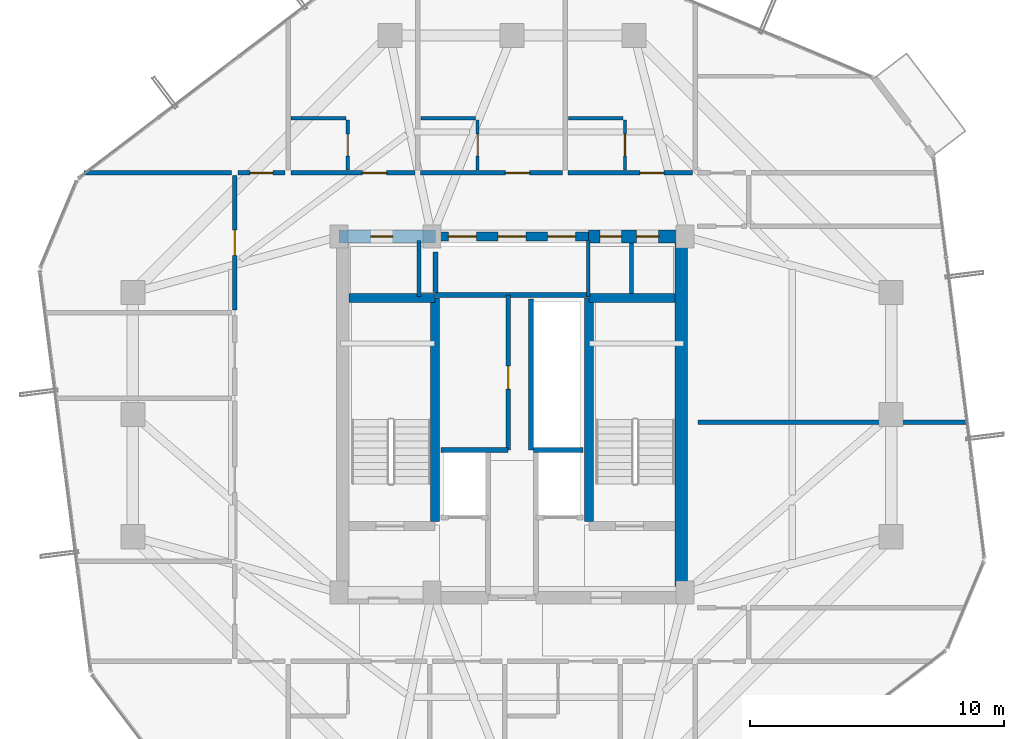
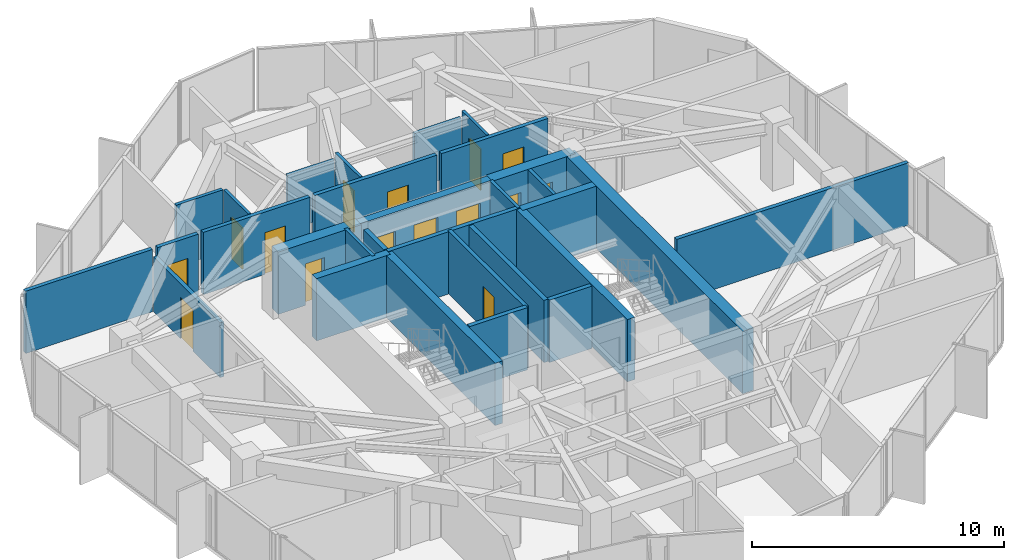
# One storey, part 29 of 32: 30 walls, 15 doors, 15 openings.
"""IFC4 building model written with IfcOpenShell, lengths in metres."""

from ifc_helpers import new_model, si_unit, direction, frame, frame_2d, origin, place, context, subcontext, project, spatial, rectangle, extrude, source, transform, mapped, material, layer, layer_set, type_object, element, fill, save


model = new_model("IFC4")

# Units and contexts
model_context = context("Model", 3, precision=1e-05, world=origin(), true_north=direction((0.0, 1.0)))
body_context = subcontext(model_context, "Body", "Model", "MODEL_VIEW")
ifc_project = project(units=[si_unit("LENGTHUNIT", "METRE"), si_unit("AREAUNIT", "SQUARE_METRE"), si_unit("VOLUMEUNIT", "CUBIC_METRE"), si_unit("PLANEANGLEUNIT", "RADIAN"), si_unit("MASSUNIT", "GRAM", prefix="KILO")], contexts=[model_context])

# Site, building, storey
site_placement = place(None, origin())
site = spatial("IfcSite", under=ifc_project, at=site_placement, CompositionType="ELEMENT")
building_placement = place(site_placement, origin())
building = spatial("IfcBuilding", under=site, at=building_placement, Name="Veraguas Prism Commons", CompositionType="ELEMENT")
storey_placement = place(building_placement, frame((0.0, 0.0, 182.10009765625)))
storey = spatial("IfcBuildingStorey", under=building, at=storey_placement, Name="L51", CompositionType="ELEMENT", Elevation=182.10009765625)

# Wall, openings, doors
ifc_material_1 = material(Name="Concrete C50/60", Category="concrete")
ifc_layer_1 = layer(ifc_material_1, 0.35009765625, Name="Core Internal Shear Wall Upper RC 350", Category="concrete")
ifc_layer_set_1 = layer_set([ifc_layer_1], Name="Concrete C50/60")
wall_type_1 = type_object("IfcWallType", Name="Core Internal Shear Wall Upper RC 350", PredefinedType="SHEAR", material=ifc_layer_set_1)
wall_1_placement = place(storey_placement, frame((21.0, 31.0, 0.0), z_axis=(0.0, 0.0, 1.0), x_axis=(1.0, 0.0, 0.0)))
wall_1 = element("IfcWall", 1, at=wall_1_placement, inside=storey, type_object=wall_type_1, Name="High-Rise Lift Bank Front Shear Wall L51", PredefinedType="SHEAR", context=body_context, shape_type="SweptSolid", body=[
    extrude(rectangle(XDim=6.0, YDim=0.35009765625, at=frame_2d((3.0, 0.0))), origin(), (0.0, 0.0, 1.0), 3.014892578125),
])
opening_1_placement = place(wall_1_placement, frame((0.5, 0.0, 0.0)))
opening_1 = element("IfcOpeningElement", 2, at=opening_1_placement, cuts=wall_1, Name="Opening LD-01", PredefinedType="OPENING", context=body_context, shape_type="SweptSolid", body=[
    extrude(rectangle(XDim=1.10009765625, YDim=2.080078125, at=frame_2d((0.550048828125, 1.0400390625))), frame((0.0, 0.18505859375, 0.0), z_axis=(0.0, -1.0, 0.0), x_axis=(1.0, 0.0, 0.0)), (0.0, 0.0, 1.0), 0.3701171875),
])
opening_2_placement = place(wall_1_placement, frame((2.449951171875, 0.0, 0.0)))
opening_2 = element("IfcOpeningElement", 3, at=opening_2_placement, cuts=wall_1, Name="Opening LD-01", PredefinedType="OPENING", context=body_context, shape_type="SweptSolid", body=[
    extrude(rectangle(XDim=1.10009765625, YDim=2.080078125, at=frame_2d((0.550048828125, 1.0400390625))), frame((0.0, 0.18505859375, 0.0), z_axis=(0.0, -1.0, 0.0), x_axis=(1.0, 0.0, 0.0)), (0.0, 0.0, 1.0), 0.3701171875),
])
opening_3_placement = place(wall_1_placement, frame((4.39990234375, 0.0, 0.0)))
opening_3 = element("IfcOpeningElement", 4, at=opening_3_placement, cuts=wall_1, Name="Opening LD-01", PredefinedType="OPENING", context=body_context, shape_type="SweptSolid", body=[
    extrude(rectangle(XDim=1.10009765625, YDim=2.080078125, at=frame_2d((0.550048828125, 1.0400390625))), frame((0.0, 0.18505859375, 0.0), z_axis=(0.0, -1.0, 0.0), x_axis=(1.0, 0.0, 0.0)), (0.0, 0.0, 1.0), 0.3701171875),
])
ifc_material_2 = material(Name="Stainless steel AISI 316", Category="steel")
door_type_1 = type_object("IfcDoorType", Name="Passenger Lift Sliding Landing Door 1100x2080", OperationType="NOTDEFINED", PredefinedType="DOOR", material=ifc_material_2)
shared_shape_1 = source(origin(), body_context, "Body", "SweptSolid", [
    extrude(rectangle(XDim=1.10009765625, YDim=2.080078125, at=frame_2d((0.550048828125, 1.0400390625))), frame((0.0, 0.02490234375, 0.0), z_axis=(0.0, -1.0, 0.0), x_axis=(1.0, 0.0, 0.0)), (0.0, 0.0, 1.0), 0.050048828125),
])
door_1_placement = place(opening_1_placement, origin())
door_1 = element("IfcDoor", 5, at=door_1_placement, inside=storey, type_object=door_type_1, Name="Sliding Landing Door PL-H1 L51", OperationType="SLIDING_TO_LEFT", OverallHeight=2.080078125, OverallWidth=1.10009765625, PredefinedType="DOOR", context=body_context, shape_type="MappedRepresentation", body=[
    mapped(shared_shape_1, transform((0.0, 0.0, 0.0), scale=1.0)),
])
fill(opening_1, door_1)
door_2_placement = place(opening_2_placement, origin())
door_2 = element("IfcDoor", 6, at=door_2_placement, inside=storey, type_object=door_type_1, Name="Sliding Landing Door PL-H2 L51", OperationType="SLIDING_TO_LEFT", OverallHeight=2.080078125, OverallWidth=1.10009765625, PredefinedType="DOOR", context=body_context, shape_type="MappedRepresentation", body=[
    mapped(shared_shape_1, transform((0.0, 0.0, 0.0), scale=1.0)),
])
fill(opening_2, door_2)
door_3_placement = place(opening_3_placement, origin())
door_3 = element("IfcDoor", 7, at=door_3_placement, inside=storey, type_object=door_type_1, Name="Sliding Landing Door PL-H3 L51", OperationType="SLIDING_TO_LEFT", OverallHeight=2.080078125, OverallWidth=1.10009765625, PredefinedType="DOOR", context=body_context, shape_type="MappedRepresentation", body=[
    mapped(shared_shape_1, transform((0.0, 0.0, 0.0), scale=1.0)),
])
fill(opening_3, door_3)

# Walls
for number, where, z_axis, x_axis, name in (
    (8, (20.97509765625, 19.800048828125, 0.0), (0.0, 0.0, 1.0), (0.0, 1.0, 0.0), "Stair ST-01 Inner Shear Wall L51"),
    (9, (27.02490234375, 19.800048828125, 0.0), (0.0, 0.0, 1.0), (0.0, 1.0, 0.0), "Stair ST-02 Inner Shear Wall L51"),
):
    element("IfcWall", number, at=place(storey_placement, frame(where, z_axis=z_axis, x_axis=x_axis)), inside=storey, type_object=wall_type_1, Name=name, PredefinedType="SHEAR", context=body_context, shape_type="SweptSolid", body=[
        extrude(rectangle(XDim=8.77490234375, YDim=0.35009765625, at=frame_2d((4.387451171875, 0.0))), origin(), (0.0, 0.0, 1.0), 3.014892578125),
    ])
for number, where, z_axis, x_axis, name in (
    (10, (17.60009765625, 28.574951171875, 0.0), (0.0, 0.0, 1.0), (1.0, 0.0, 0.0), "Stair ST-01 North Shear Wall L51"),
    (11, (27.02490234375, 28.574951171875, 0.0), (0.0, 0.0, 1.0), (1.0, 0.0, 0.0), "Stair ST-02 North Shear Wall L51"),
):
    element("IfcWall", number, at=place(storey_placement, frame(where, z_axis=z_axis, x_axis=x_axis)), inside=storey, type_object=wall_type_1, Name=name, PredefinedType="SHEAR", context=body_context, shape_type="SweptSolid", body=[
        extrude(rectangle(XDim=3.375, YDim=0.35009765625, at=frame_2d((1.6875, 0.0))), origin(), (0.0, 0.0, 1.0), 3.014892578125),
    ])
ifc_layer_2 = layer(ifc_material_1, 0.5, Name="Core Outer Shear Wall Upper RC 500", Category="concrete")
ifc_layer_set_2 = layer_set([ifc_layer_2], Name="Concrete C50/60")
wall_type_2 = type_object("IfcWallType", Name="Core Outer Shear Wall Upper RC 500", PredefinedType="SHEAR", material=ifc_layer_set_2)
wall_2_placement = place(storey_placement, frame((30.64990234375, 16.800048828125, 0.0), z_axis=(0.0, 0.0, 1.0), x_axis=(0.0, 1.0, 0.0)))
element("IfcWall", 12, at=wall_2_placement, inside=storey, type_object=wall_type_2, Name="Central Core East Shear Wall L51", PredefinedType="SHEAR", context=body_context, shape_type="SweptSolid", body=[
    extrude(rectangle(XDim=14.199951171875, YDim=0.5, at=frame_2d((7.10009765625, 0.0))), origin(), (0.0, 0.0, 1.0), 3.014892578125),
])

# Wall, opening, door
wall_3_placement = place(storey_placement, frame((17.199951171875, 31.0, 0.0), z_axis=(0.0, 0.0, 1.0), x_axis=(1.0, 0.0, 0.0)))
wall_3 = element("IfcWall", 13, at=wall_3_placement, inside=storey, type_object=wall_type_2, Name="Central Core North-West Shear Wall L51", PredefinedType="SHEAR", context=body_context, shape_type="SweptSolid", body=[
    extrude(rectangle(XDim=3.800048828125, YDim=0.5, at=frame_2d((1.89990234375, 0.0))), origin(), (0.0, 0.0, 1.0), 3.014892578125),
])
opening_4_placement = place(wall_3_placement, frame((1.25, 0.0, 0.0)))
opening_4 = element("IfcOpeningElement", 14, at=opening_4_placement, cuts=wall_3, Name="Opening DR-12", PredefinedType="OPENING", context=body_context, shape_type="SweptSolid", body=[
    extrude(rectangle(XDim=0.860107421875, YDim=2.010009765625, at=frame_2d((0.43017578125, 1.0048828125))), frame((0.0, 0.260009765625, 0.0), z_axis=(0.0, -1.0, 0.0), x_axis=(1.0, 0.0, 0.0)), (0.0, 0.0, 1.0), 0.52001953125),
])
ifc_material_3 = material(Name="Steel fire-rated door assembly", Category="steel")
door_type_2 = type_object("IfcDoorType", Name="Core WC Fire Door 860x2010", OperationType="NOTDEFINED", PredefinedType="DOOR", material=ifc_material_3)
shared_shape_2 = source(origin(), body_context, "Body", "SweptSolid", [
    extrude(rectangle(XDim=0.860107421875, YDim=2.010009765625, at=frame_2d((0.43017578125, 1.0048828125))), frame((0.0, 0.02490234375, 0.0), z_axis=(0.0, -1.0, 0.0), x_axis=(1.0, 0.0, 0.0)), (0.0, 0.0, 1.0), 0.050048828125),
])
door_4_placement = place(opening_4_placement, origin())
door_4 = element("IfcDoor", 15, at=door_4_placement, inside=storey, type_object=door_type_2, Name="Core NW Service Door L51", OperationType="SINGLE_SWING_RIGHT", OverallHeight=2.010009765625, OverallWidth=0.860107421875, PredefinedType="DOOR", context=body_context, shape_type="MappedRepresentation", body=[
    mapped(shared_shape_2, transform((0.0, 0.0, 0.0), scale=1.0)),
])
fill(opening_4, door_4)

# Wall, openings, doors
wall_4_placement = place(storey_placement, frame((27.0, 31.0, 0.0), z_axis=(0.0, 0.0, 1.0), x_axis=(1.0, 0.0, 0.0)))
wall_4 = element("IfcWall", 16, at=wall_4_placement, inside=storey, type_object=wall_type_2, Name="Central Core North-East Shear Wall L51", PredefinedType="SHEAR", context=body_context, shape_type="SweptSolid", body=[
    extrude(rectangle(XDim=3.800048828125, YDim=0.5, at=frame_2d((1.89990234375, 0.0))), origin(), (0.0, 0.0, 1.0), 3.014892578125),
])
opening_5_placement = place(wall_4_placement, frame((0.449951171875, 0.0, 0.0)))
opening_5 = element("IfcOpeningElement", 17, at=opening_5_placement, cuts=wall_4, Name="Opening DR-12", PredefinedType="OPENING", context=body_context, shape_type="SweptSolid", body=[
    extrude(rectangle(XDim=0.860107421875, YDim=2.010009765625, at=frame_2d((0.43017578125, 1.0048828125))), frame((0.0, 0.260009765625, 0.0), z_axis=(0.0, -1.0, 0.0), x_axis=(1.0, 0.0, 0.0)), (0.0, 0.0, 1.0), 0.52001953125),
])
opening_6_placement = place(wall_4_placement, frame((1.89990234375, 0.0, 0.0)))
opening_6 = element("IfcOpeningElement", 18, at=opening_6_placement, cuts=wall_4, Name="Opening DR-12", PredefinedType="OPENING", context=body_context, shape_type="SweptSolid", body=[
    extrude(rectangle(XDim=0.860107421875, YDim=2.010009765625, at=frame_2d((0.43017578125, 1.0048828125))), frame((0.0, 0.260009765625, 0.0), z_axis=(0.0, -1.0, 0.0), x_axis=(1.0, 0.0, 0.0)), (0.0, 0.0, 1.0), 0.52001953125),
])
door_5_placement = place(opening_5_placement, origin())
door_5 = element("IfcDoor", 19, at=door_5_placement, inside=storey, type_object=door_type_2, Name="Core NE Room A Door L51", OperationType="SINGLE_SWING_LEFT", OverallHeight=2.010009765625, OverallWidth=0.860107421875, PredefinedType="DOOR", context=body_context, shape_type="MappedRepresentation", body=[
    mapped(shared_shape_2, transform((0.0, 0.0, 0.0), scale=1.0)),
])
fill(opening_5, door_5)
door_6_placement = place(opening_6_placement, origin())
door_6 = element("IfcDoor", 20, at=door_6_placement, inside=storey, type_object=door_type_2, Name="Core NE Room B Door L51", OperationType="SINGLE_SWING_RIGHT", OverallHeight=2.010009765625, OverallWidth=0.860107421875, PredefinedType="DOOR", context=body_context, shape_type="MappedRepresentation", body=[
    mapped(shared_shape_2, transform((0.0, 0.0, 0.0), scale=1.0)),
])
fill(opening_6, door_6)

# Wall, opening, door
ifc_material_4 = material(Name="Autoclaved aerated masonry block 10 MPa", Category="masonry")
ifc_layer_3 = layer(ifc_material_4, 0.179931640625, Name="Corridor and Inter-Tenancy Partition 180", Category="masonry")
ifc_layer_set_3 = layer_set([ifc_layer_3], Name="Autoclaved aerated masonry block 10 MPa")
wall_type_3 = type_object("IfcWallType", Name="Corridor and Inter-Tenancy Partition 180", PredefinedType="PARTITIONING", material=ifc_layer_set_3)
wall_5_placement = place(storey_placement, frame((23.85009765625, 22.60009765625, 0.0), z_axis=(0.0, 0.0, 1.0), x_axis=(0.0, 1.0, 0.0)))
wall_5 = element("IfcWall", 21, at=wall_5_placement, inside=storey, type_object=wall_type_3, Name="Reading Room Partition L51", PredefinedType="PARTITIONING", context=body_context, shape_type="SweptSolid", body=[
    extrude(rectangle(XDim=6.099853515625, YDim=0.179931640625, at=frame_2d((3.0498046875, 0.0))), origin(), (0.0, 0.0, 1.0), 3.014892578125),
])
opening_7_placement = place(wall_5_placement, frame((2.39990234375, 0.0, 0.0)))
opening_7 = element("IfcOpeningElement", 22, at=opening_7_placement, cuts=wall_5, Name="Opening DR-14", PredefinedType="OPENING", context=body_context, shape_type="SweptSolid", body=[
    extrude(rectangle(XDim=0.89990234375, YDim=2.010009765625, at=frame_2d((0.449951171875, 1.0048828125))), frame((0.0, 0.099853515625, 0.0), z_axis=(0.0, -1.0, 0.0), x_axis=(1.0, 0.0, 0.0)), (0.0, 0.0, 1.0), 0.199951171875),
])
door_type_3 = type_object("IfcDoorType", Name="Core Service Room Fire Door 900x2010", OperationType="NOTDEFINED", PredefinedType="DOOR", material=ifc_material_3)
shared_shape_3 = source(origin(), body_context, "Body", "SweptSolid", [
    extrude(rectangle(XDim=0.89990234375, YDim=2.010009765625, at=frame_2d((0.449951171875, 1.0048828125))), frame((0.0, 0.02490234375, 0.0), z_axis=(0.0, -1.0, 0.0), x_axis=(1.0, 0.0, 0.0)), (0.0, 0.0, 1.0), 0.050048828125),
])
door_7_placement = place(opening_7_placement, origin())
door_7 = element("IfcDoor", 23, at=door_7_placement, inside=storey, type_object=door_type_3, Name="Reading Room Door L51", OperationType="SINGLE_SWING_LEFT", OverallHeight=2.010009765625, OverallWidth=0.89990234375, PredefinedType="DOOR", context=body_context, shape_type="MappedRepresentation", body=[
    mapped(shared_shape_3, transform((0.0, 0.0, 0.0), scale=1.0)),
])
fill(opening_7, door_7)

wall_6_placement = place(storey_placement, frame((15.31005859375, 33.5, 0.0), z_axis=(0.0, 0.0, 1.0), x_axis=(1.0, 0.0, 0.0)))
wall_6 = element("IfcWall", 24, at=wall_6_placement, inside=storey, type_object=wall_type_3, Name="WL-L51-PT016", PredefinedType="PARTITIONING", context=body_context, shape_type="SweptSolid", body=[
    extrude(rectangle(XDim=4.8798828125, YDim=0.179931640625, at=frame_2d((2.43994140625, 0.0))), origin(), (0.0, 0.0, 1.0), 3.014892578125),
])
opening_8_placement = place(wall_6_placement, frame((2.812255859375, 0.0, 0.0)))
opening_8 = element("IfcOpeningElement", 25, at=opening_8_placement, cuts=wall_6, Name="Opening DR-01", PredefinedType="OPENING", context=body_context, shape_type="SweptSolid", body=[
    extrude(rectangle(XDim=0.949951171875, YDim=2.02001953125, at=frame_2d((0.47509765625, 1.010009765625))), frame((0.0, 0.099853515625, 0.0), z_axis=(0.0, -1.0, 0.0), x_axis=(1.0, 0.0, 0.0)), (0.0, 0.0, 1.0), 0.199951171875),
])
ifc_material_5 = material(Name="Anodised aluminium EN AW-6063 T6", Category="aluminium")
door_type_4 = type_object("IfcDoorType", Name="Apartment Entrance Fire Door 950x2020", OperationType="NOTDEFINED", PredefinedType="DOOR", material=ifc_material_5)
shared_shape_4 = source(origin(), body_context, "Body", "SweptSolid", [
    extrude(rectangle(XDim=0.949951171875, YDim=2.02001953125, at=frame_2d((0.47509765625, 1.010009765625))), frame((0.0, 0.02490234375, 0.0), z_axis=(0.0, -1.0, 0.0), x_axis=(1.0, 0.0, 0.0)), (0.0, 0.0, 1.0), 0.050048828125),
])
door_8_placement = place(opening_8_placement, origin())
door_8 = element("IfcDoor", 26, at=door_8_placement, inside=storey, type_object=door_type_4, Name="Studio 51C Entrance Door", OperationType="SINGLE_SWING_RIGHT", OverallHeight=2.02001953125, OverallWidth=0.949951171875, PredefinedType="DOOR", context=body_context, shape_type="MappedRepresentation", body=[
    mapped(shared_shape_4, transform((0.0, 0.0, 0.0), scale=1.0)),
])
fill(opening_8, door_8)

wall_7_placement = place(storey_placement, frame((20.409912109375, 33.5, 0.0), z_axis=(0.0, 0.0, 1.0), x_axis=(1.0, 0.0, 0.0)))
wall_7 = element("IfcWall", 27, at=wall_7_placement, inside=storey, type_object=wall_type_3, Name="WL-L51-PT020", PredefinedType="PARTITIONING", context=body_context, shape_type="SweptSolid", body=[
    extrude(rectangle(XDim=5.580078125, YDim=0.179931640625, at=frame_2d((2.7900390625, 0.0))), origin(), (0.0, 0.0, 1.0), 3.014892578125),
])
opening_9_placement = place(wall_7_placement, frame((3.330078125, 0.0, 0.0)))
opening_9 = element("IfcOpeningElement", 28, at=opening_9_placement, cuts=wall_7, Name="Opening DR-01", PredefinedType="OPENING", context=body_context, shape_type="SweptSolid", body=[
    extrude(rectangle(XDim=0.949951171875, YDim=2.02001953125, at=frame_2d((0.47509765625, 1.010009765625))), frame((0.0, 0.099853515625, 0.0), z_axis=(0.0, -1.0, 0.0), x_axis=(1.0, 0.0, 0.0)), (0.0, 0.0, 1.0), 0.199951171875),
])
door_9_placement = place(opening_9_placement, origin())
door_9 = element("IfcDoor", 29, at=door_9_placement, inside=storey, type_object=door_type_4, Name="Studio 51D Entrance Door", OperationType="SINGLE_SWING_RIGHT", OverallHeight=2.02001953125, OverallWidth=0.949951171875, PredefinedType="DOOR", context=body_context, shape_type="MappedRepresentation", body=[
    mapped(shared_shape_4, transform((0.0, 0.0, 0.0), scale=1.0)),
])
fill(opening_9, door_9)

wall_8_placement = place(storey_placement, frame((26.2099609375, 33.5, 0.0), z_axis=(0.0, 0.0, 1.0), x_axis=(1.0, 0.0, 0.0)))
wall_8 = element("IfcWall", 30, at=wall_8_placement, inside=storey, type_object=wall_type_3, Name="WL-L51-PT024", PredefinedType="PARTITIONING", context=body_context, shape_type="SweptSolid", body=[
    extrude(rectangle(XDim=4.880126953125, YDim=0.179931640625, at=frame_2d((2.43994140625, 0.0))), origin(), (0.0, 0.0, 1.0), 3.014892578125),
])
opening_10_placement = place(wall_8_placement, frame((2.812255859375, 0.0, 0.0)))
opening_10 = element("IfcOpeningElement", 31, at=opening_10_placement, cuts=wall_8, Name="Opening DR-01", PredefinedType="OPENING", context=body_context, shape_type="SweptSolid", body=[
    extrude(rectangle(XDim=0.949951171875, YDim=2.02001953125, at=frame_2d((0.47509765625, 1.010009765625))), frame((0.0, 0.099853515625, 0.0), z_axis=(0.0, -1.0, 0.0), x_axis=(1.0, 0.0, 0.0)), (0.0, 0.0, 1.0), 0.199951171875),
])
door_10_placement = place(opening_10_placement, origin())
door_10 = element("IfcDoor", 32, at=door_10_placement, inside=storey, type_object=door_type_4, Name="Studio 51E Entrance Door", OperationType="SINGLE_SWING_RIGHT", OverallHeight=2.02001953125, OverallWidth=0.949951171875, PredefinedType="DOOR", context=body_context, shape_type="MappedRepresentation", body=[
    mapped(shared_shape_4, transform((0.0, 0.0, 0.0), scale=1.0)),
])
fill(opening_10, door_10)

# Wall
wall_9_placement = place(storey_placement, frame((12.97998046875, 33.5, 0.0), z_axis=(0.0, 0.0, 1.0), x_axis=(-1.0, 0.0, 0.0)))
element("IfcWall", 33, at=wall_9_placement, inside=storey, type_object=wall_type_3, Name="WL-L51-PT028", PredefinedType="PARTITIONING", context=body_context, shape_type="SweptSolid", body=[
    extrude(rectangle(XDim=5.79736328125, YDim=0.179931640625, at=frame_2d((2.898681640625, 0.0))), origin(), (0.0, 0.0, 1.0), 3.014892578125),
])

# Wall, opening, door
wall_10_placement = place(storey_placement, frame((13.10009765625, 28.118896484375, 0.0), z_axis=(0.0, 0.0, 1.0), x_axis=(0.0, 1.0, 0.0)))
wall_10 = element("IfcWall", 34, at=wall_10_placement, inside=storey, type_object=wall_type_3, Name="WL-L51-PT034", PredefinedType="PARTITIONING", context=body_context, shape_type="SweptSolid", body=[
    extrude(rectangle(XDim=5.27099609375, YDim=0.179931640625, at=frame_2d((2.635498046875, 0.0))), origin(), (0.0, 0.0, 1.0), 2.661865234375),
])
opening_11_placement = place(wall_10_placement, frame((2.135498046875, 0.0, 0.0)))
opening_11 = element("IfcOpeningElement", 35, at=opening_11_placement, cuts=wall_10, Name="Opening DR-13", PredefinedType="OPENING", context=body_context, shape_type="SweptSolid", body=[
    extrude(rectangle(XDim=1.0, YDim=2.010009765625, at=frame_2d((0.5, 1.0048828125))), frame((0.0, 0.099853515625, 0.0), z_axis=(0.0, -1.0, 0.0), x_axis=(1.0, 0.0, 0.0)), (0.0, 0.0, 1.0), 0.199951171875),
])
door_type_5 = type_object("IfcDoorType", Name="Core Accessible WC and Clinic Fire Door 1000x2010", OperationType="NOTDEFINED", PredefinedType="DOOR", material=ifc_material_3)
shared_shape_5 = source(origin(), body_context, "Body", "SweptSolid", [
    extrude(rectangle(XDim=1.0, YDim=2.010009765625, at=frame_2d((0.5, 1.0048828125))), frame((0.0, 0.02490234375, 0.0), z_axis=(0.0, -1.0, 0.0), x_axis=(1.0, 0.0, 0.0)), (0.0, 0.0, 1.0), 0.050048828125),
])
door_11_placement = place(opening_11_placement, origin())
door_11 = element("IfcDoor", 36, at=door_11_placement, inside=storey, type_object=door_type_5, Name="Co-op Store W Door", OperationType="SINGLE_SWING_LEFT", OverallHeight=2.010009765625, OverallWidth=1.0, PredefinedType="DOOR", context=body_context, shape_type="MappedRepresentation", body=[
    mapped(shared_shape_5, transform((0.0, 0.0, 0.0), scale=1.0)),
])
fill(opening_11, door_11)

# Wall
wall_11_placement = place(storey_placement, frame((31.320068359375, 23.699951171875, 0.0), z_axis=(0.0, 0.0, 1.0), x_axis=(1.0, 0.0, 0.0)))
element("IfcWall", 37, at=wall_11_placement, inside=storey, type_object=wall_type_3, Name="WL-L51-PT036", PredefinedType="PARTITIONING", context=body_context, shape_type="SweptSolid", body=[
    extrude(rectangle(XDim=10.600830078125, YDim=0.179931640625, at=frame_2d((5.30029296875, 0.0))), origin(), (0.0, 0.0, 1.0), 3.014892578125),
])

# Wall, opening, door
wall_12_placement = place(storey_placement, frame((13.219970703125, 33.5, 0.0), z_axis=(0.0, 0.0, 1.0), x_axis=(1.0, 0.0, 0.0)))
wall_12 = element("IfcWall", 38, at=wall_12_placement, inside=storey, type_object=wall_type_3, Name="WL-L51-PT046", PredefinedType="PARTITIONING", context=body_context, shape_type="SweptSolid", body=[
    extrude(rectangle(XDim=1.860107421875, YDim=0.179931640625, at=frame_2d((0.93017578125, 0.0))), origin(), (0.0, 0.0, 1.0), 3.014892578125),
])
opening_12_placement = place(wall_12_placement, frame((0.47998046875, 0.0, 0.0)))
opening_12 = element("IfcOpeningElement", 39, at=opening_12_placement, cuts=wall_12, Name="Opening DR-14", PredefinedType="OPENING", context=body_context, shape_type="SweptSolid", body=[
    extrude(rectangle(XDim=0.89990234375, YDim=2.010009765625, at=frame_2d((0.449951171875, 1.0048828125))), frame((0.0, 0.099853515625, 0.0), z_axis=(0.0, -1.0, 0.0), x_axis=(1.0, 0.0, 0.0)), (0.0, 0.0, 1.0), 0.199951171875),
])
door_12_placement = place(opening_12_placement, origin())
door_12 = element("IfcDoor", 40, at=door_12_placement, inside=storey, type_object=door_type_3, Name="Corner Study NW Door", OperationType="SINGLE_SWING_RIGHT", OverallHeight=2.010009765625, OverallWidth=0.89990234375, PredefinedType="DOOR", context=body_context, shape_type="MappedRepresentation", body=[
    mapped(shared_shape_3, transform((0.0, 0.0, 0.0), scale=1.0)),
])
fill(opening_12, door_12)

ifc_material_6 = material(Name="Lightweight acoustic gypsum board")
ifc_layer_4 = layer(ifc_material_6, 0.125, Name="Internal Apartment Room Partition 125")
ifc_layer_set_4 = layer_set([ifc_layer_4], Name="Lightweight acoustic gypsum board")
wall_type_4 = type_object("IfcWallType", Name="Internal Apartment Room Partition 125", PredefinedType="PARTITIONING", material=ifc_layer_set_4)
wall_13_placement = place(storey_placement, frame((17.5458984375, 33.6201171875, 0.0), z_axis=(0.0, 0.0, 1.0), x_axis=(0.0, 1.0, 0.0)))
wall_13 = element("IfcWall", 41, at=wall_13_placement, inside=storey, type_object=wall_type_4, Name="WL-L51-PT017", PredefinedType="PARTITIONING", context=body_context, shape_type="SweptSolid", body=[
    extrude(rectangle(XDim=1.949951171875, YDim=0.125, at=frame_2d((0.97509765625, 0.0))), origin(), (0.0, 0.0, 1.0), 3.014892578125),
])
opening_13_placement = place(wall_13_placement, frame((0.544921875, 0.0, 0.0)))
opening_13 = element("IfcOpeningElement", 42, at=opening_13_placement, cuts=wall_13, Name="Opening DR-03", PredefinedType="OPENING", context=body_context, shape_type="SweptSolid", body=[
    extrude(rectangle(XDim=0.860107421875, YDim=2.010009765625, at=frame_2d((0.43017578125, 1.0048828125))), frame((0.0, 0.072509765625, 0.0), z_axis=(0.0, -1.0, 0.0), x_axis=(1.0, 0.0, 0.0)), (0.0, 0.0, 1.0), 0.14501953125),
])
ifc_material_7 = material(Name="Timber moisture-resistant leaf", Category="wood")
door_type_6 = type_object("IfcDoorType", Name="Internal Bathroom Door 860x2010", OperationType="NOTDEFINED", PredefinedType="DOOR", material=ifc_material_7)
door_13_placement = place(opening_13_placement, origin())
door_13 = element("IfcDoor", 43, at=door_13_placement, inside=storey, type_object=door_type_6, Name="Studio 51C Bathroom Door", OperationType="SINGLE_SWING_LEFT", OverallHeight=2.010009765625, OverallWidth=0.860107421875, PredefinedType="DOOR", context=body_context, shape_type="MappedRepresentation", body=[
    mapped(shared_shape_2, transform((0.0, 0.0, 0.0), scale=1.0)),
])
fill(opening_13, door_13)

wall_14_placement = place(storey_placement, frame((22.64990234375, 33.6201171875, 0.0), z_axis=(0.0, 0.0, 1.0), x_axis=(0.0, 1.0, 0.0)))
wall_14 = element("IfcWall", 44, at=wall_14_placement, inside=storey, type_object=wall_type_4, Name="WL-L51-PT021", PredefinedType="PARTITIONING", context=body_context, shape_type="SweptSolid", body=[
    extrude(rectangle(XDim=1.949951171875, YDim=0.125, at=frame_2d((0.97509765625, 0.0))), origin(), (0.0, 0.0, 1.0), 3.014892578125),
])
opening_14_placement = place(wall_14_placement, frame((0.544921875, 0.0, 0.0)))
opening_14 = element("IfcOpeningElement", 45, at=opening_14_placement, cuts=wall_14, Name="Opening DR-03", PredefinedType="OPENING", context=body_context, shape_type="SweptSolid", body=[
    extrude(rectangle(XDim=0.860107421875, YDim=2.010009765625, at=frame_2d((0.43017578125, 1.0048828125))), frame((0.0, 0.072509765625, 0.0), z_axis=(0.0, -1.0, 0.0), x_axis=(1.0, 0.0, 0.0)), (0.0, 0.0, 1.0), 0.14501953125),
])
door_14_placement = place(opening_14_placement, origin())
door_14 = element("IfcDoor", 46, at=door_14_placement, inside=storey, type_object=door_type_6, Name="Studio 51D Bathroom Door", OperationType="SINGLE_SWING_LEFT", OverallHeight=2.010009765625, OverallWidth=0.860107421875, PredefinedType="DOOR", context=body_context, shape_type="MappedRepresentation", body=[
    mapped(shared_shape_2, transform((0.0, 0.0, 0.0), scale=1.0)),
])
fill(opening_14, door_14)

wall_15_placement = place(storey_placement, frame((28.446044921875, 33.6201171875, 0.0), z_axis=(0.0, 0.0, 1.0), x_axis=(0.0, 1.0, 0.0)))
wall_15 = element("IfcWall", 47, at=wall_15_placement, inside=storey, type_object=wall_type_4, Name="WL-L51-PT025", PredefinedType="PARTITIONING", context=body_context, shape_type="SweptSolid", body=[
    extrude(rectangle(XDim=1.949951171875, YDim=0.125, at=frame_2d((0.97509765625, 0.0))), origin(), (0.0, 0.0, 1.0), 3.014892578125),
])
opening_15_placement = place(wall_15_placement, frame((0.544921875, 0.0, 0.0)))
opening_15 = element("IfcOpeningElement", 48, at=opening_15_placement, cuts=wall_15, Name="Opening DR-03", PredefinedType="OPENING", context=body_context, shape_type="SweptSolid", body=[
    extrude(rectangle(XDim=0.860107421875, YDim=2.010009765625, at=frame_2d((0.43017578125, 1.0048828125))), frame((0.0, 0.072509765625, 0.0), z_axis=(0.0, -1.0, 0.0), x_axis=(1.0, 0.0, 0.0)), (0.0, 0.0, 1.0), 0.14501953125),
])
door_15_placement = place(opening_15_placement, origin())
door_15 = element("IfcDoor", 49, at=door_15_placement, inside=storey, type_object=door_type_6, Name="Studio 51E Bathroom Door", OperationType="SINGLE_SWING_LEFT", OverallHeight=2.010009765625, OverallWidth=0.860107421875, PredefinedType="DOOR", context=body_context, shape_type="MappedRepresentation", body=[
    mapped(shared_shape_2, transform((0.0, 0.0, 0.0), scale=1.0)),
])
fill(opening_15, door_15)

# Walls
ifc_layer_5 = layer(ifc_material_4, 0.199951171875, Name="Rated Shaft and Lobby Block Wall 200", Category="masonry")
ifc_layer_set_5 = layer_set([ifc_layer_5], Name="Autoclaved aerated masonry block 10 MPa")
wall_type_5 = type_object("IfcWallType", Name="Rated Shaft and Lobby Block Wall 200", PredefinedType="SOLIDWALL", material=ifc_layer_set_5)
wall_16_placement = place(storey_placement, frame((21.199951171875, 22.60009765625, 0.0), z_axis=(0.0, 0.0, 1.0), x_axis=(1.0, 0.0, 0.0)))
element("IfcWall", 50, at=wall_16_placement, inside=storey, type_object=wall_type_5, Name="Firefighting Lift FFL-1 Rear Wall L51", PredefinedType="SOLIDWALL", context=body_context, shape_type="SweptSolid", body=[
    extrude(rectangle(XDim=2.650146484375, YDim=0.199951171875, at=frame_2d((1.3251953125, 0.0))), origin(), (0.0, 0.0, 1.0), 3.014892578125),
])
wall_17_placement = place(storey_placement, frame((24.85009765625, 22.60009765625, 0.0), z_axis=(0.0, 0.0, 1.0), x_axis=(1.0, 0.0, 0.0)))
element("IfcWall", 51, at=wall_17_placement, inside=storey, type_object=wall_type_5, Name="Firefighting Lift FFL-2 Rear Wall L51", PredefinedType="SOLIDWALL", context=body_context, shape_type="SweptSolid", body=[
    extrude(rectangle(XDim=1.949951171875, YDim=0.199951171875, at=frame_2d((0.97509765625, 0.0))), origin(), (0.0, 0.0, 1.0), 3.014892578125),
])
wall_18_placement = place(storey_placement, frame((21.0, 28.699951171875, 0.0), z_axis=(0.0, 0.0, 1.0), x_axis=(1.0, 0.0, 0.0)))
element("IfcWall", 52, at=wall_18_placement, inside=storey, type_object=wall_type_5, Name="High-Rise Lift Bank Rear Shaft Wall L51", PredefinedType="SOLIDWALL", context=body_context, shape_type="SweptSolid", body=[
    extrude(rectangle(XDim=6.0, YDim=0.199951171875, at=frame_2d((3.0, 0.0))), origin(), (0.0, 0.0, 1.0), 3.014892578125),
])
wall_19_placement = place(storey_placement, frame((21.0, 28.800048828125, 0.0), z_axis=(0.0, 0.0, 1.0), x_axis=(0.0, 1.0, 0.0)))
element("IfcWall", 53, at=wall_19_placement, inside=storey, type_object=wall_type_5, Name="High-Rise Lift Bank West Shaft Wall L51", PredefinedType="SOLIDWALL", context=body_context, shape_type="SweptSolid", body=[
    extrude(rectangle(XDim=1.599853515625, YDim=0.199951171875, at=frame_2d((0.7998046875, 0.0))), origin(), (0.0, 0.0, 1.0), 3.014892578125),
])
wall_20_placement = place(storey_placement, frame((24.75, 22.60009765625, 0.0), z_axis=(0.0, 0.0, 1.0), x_axis=(0.0, 1.0, 0.0)))
element("IfcWall", 54, at=wall_20_placement, inside=storey, type_object=wall_type_5, Name="Mid-Rise Lift Bank Front Wall L51", PredefinedType="SOLIDWALL", context=body_context, shape_type="SweptSolid", body=[
    extrude(rectangle(XDim=5.949951171875, YDim=0.199951171875, at=frame_2d((2.97509765625, 0.0))), origin(), (0.0, 0.0, 1.0), 3.014892578125),
])
ifc_layer_6 = layer(ifc_material_6, 0.14990234375, Name="Wet Room and Clinic Acoustic Partition 150")
ifc_layer_set_6 = layer_set([ifc_layer_6], Name="Lightweight acoustic gypsum board")
wall_type_6 = type_object("IfcWallType", Name="Wet Room and Clinic Acoustic Partition 150", PredefinedType="PARTITIONING", material=ifc_layer_set_6)
for number, where, z_axis, x_axis, name in (
    (55, (20.35009765625, 28.64990234375, 0.0), (0.0, 0.0, 1.0), (0.0, 1.0, 0.0), "Core NW Service Inner Wall L51"),
    (56, (27.0, 28.64990234375, 0.0), (0.0, 0.0, 1.0), (0.0, 1.0, 0.0), "Core NE Service Inner Wall L51"),
):
    element("IfcWall", number, at=place(storey_placement, frame(where, z_axis=z_axis, x_axis=x_axis)), inside=storey, type_object=wall_type_6, Name=name, PredefinedType="PARTITIONING", context=body_context, shape_type="SweptSolid", body=[
        extrude(rectangle(XDim=2.2001953125, YDim=0.14990234375, at=frame_2d((1.10009765625, 0.0))), origin(), (0.0, 0.0, 1.0), 3.014892578125),
    ])
wall_21_placement = place(storey_placement, frame((28.699951171875, 28.75, 0.0), z_axis=(0.0, 0.0, 1.0), x_axis=(0.0, 1.0, 0.0)))
element("IfcWall", 57, at=wall_21_placement, inside=storey, type_object=wall_type_6, Name="WL-L51-CSVD1", PredefinedType="PARTITIONING", context=body_context, shape_type="SweptSolid", body=[
    extrude(rectangle(XDim=2.0, YDim=0.14990234375, at=frame_2d((1.0, 0.0))), origin(), (0.0, 0.0, 1.0), 3.014892578125),
])
wall_22_placement = place(storey_placement, frame((15.320068359375, 35.64990234375, 0.0), z_axis=(0.0, 0.0, 1.0), x_axis=(1.0, 0.0, 0.0)))
element("IfcWall", 58, at=wall_22_placement, inside=storey, type_object=wall_type_6, Name="WL-L51-PT018", PredefinedType="PARTITIONING", context=body_context, shape_type="SweptSolid", body=[
    extrude(rectangle(XDim=2.14599609375, YDim=0.14990234375, at=frame_2d((1.072998046875, 0.0))), origin(), (0.0, 0.0, 1.0), 3.014892578125),
])
wall_23_placement = place(storey_placement, frame((20.419921875, 35.64990234375, 0.0), z_axis=(0.0, 0.0, 1.0), x_axis=(1.0, 0.0, 0.0)))
element("IfcWall", 59, at=wall_23_placement, inside=storey, type_object=wall_type_6, Name="WL-L51-PT022", PredefinedType="PARTITIONING", context=body_context, shape_type="SweptSolid", body=[
    extrude(rectangle(XDim=2.150146484375, YDim=0.14990234375, at=frame_2d((1.0751953125, 0.0))), origin(), (0.0, 0.0, 1.0), 2.661865234375),
])
wall_24_placement = place(storey_placement, frame((26.219970703125, 35.64990234375, 0.0), z_axis=(0.0, 0.0, 1.0), x_axis=(1.0, 0.0, 0.0)))
element("IfcWall", 60, at=wall_24_placement, inside=storey, type_object=wall_type_6, Name="WL-L51-PT026", PredefinedType="PARTITIONING", context=body_context, shape_type="SweptSolid", body=[
    extrude(rectangle(XDim=2.14599609375, YDim=0.14990234375, at=frame_2d((1.072998046875, 0.0))), origin(), (0.0, 0.0, 1.0), 2.661865234375),
])

save(model, "model.ifc")
